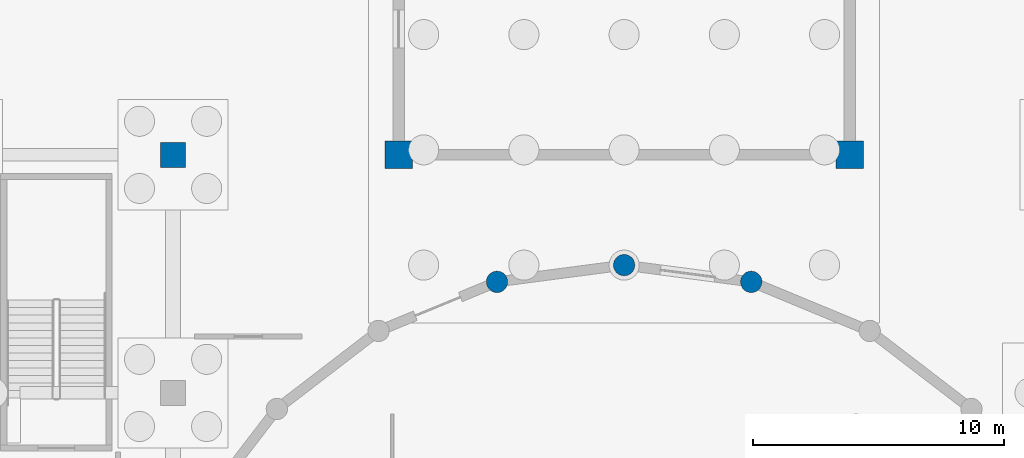
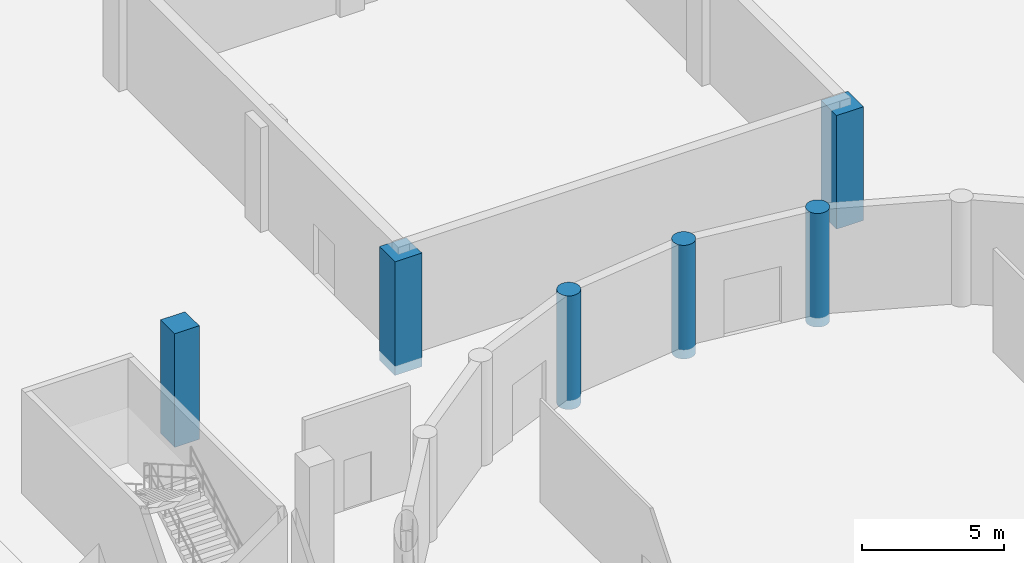
# One storey, part 24 of 40: 6 columns.
"""IFC4 building model written with IfcOpenShell, lengths in metres."""

from ifc_helpers import new_model, si_unit, direction, frame, origin, origin_2d, place, context, subcontext, project, spatial, rectangle, circle, extrude, material, material_profile, profile_set, type_object, element, save


model = new_model("IFC4")

# Units and contexts
model_context = context("Model", 3, precision=1e-05, world=origin(), true_north=direction((0.0, 1.0)))
body_context = subcontext(model_context, "Body", "Model", "MODEL_VIEW")
ifc_project = project(units=[si_unit("LENGTHUNIT", "METRE"), si_unit("AREAUNIT", "SQUARE_METRE"), si_unit("VOLUMEUNIT", "CUBIC_METRE"), si_unit("PLANEANGLEUNIT", "RADIAN"), si_unit("MASSUNIT", "GRAM", prefix="KILO")], contexts=[model_context])

# Site, building, storey
site_placement = place(None, origin())
site = spatial("IfcSite", under=ifc_project, at=site_placement, CompositionType="ELEMENT")
building_placement = place(site_placement, origin())
building = spatial("IfcBuilding", under=site, at=building_placement, Name="Marnock Terrace Opera House", CompositionType="ELEMENT")
storey_placement = place(building_placement, frame((0.0, 0.0, -4.800048828125)))
storey = spatial("IfcBuildingStorey", under=building, at=storey_placement, Name="B1", CompositionType="ELEMENT", Elevation=-4.800048828125)

# Columns
ifc_material = material(Name="Concrete N50 (f'c = 50 MPa)", Category="concrete")
ifc_material_profile_1 = material_profile(ifc_material, circle(Radius=0.425048828125, at=origin_2d()))
ifc_profile_set_1 = profile_set([ifc_material_profile_1], Name="Concrete N50 (f'c = 50 MPa)")
column_type_1 = type_object("IfcColumnType", Name="COL-DRUM-850", PredefinedType="COLUMN", material=ifc_profile_set_1)
for number, where, z_axis, x_axis, name in (
    (1, (87.072998046875, 79.431884765625, -0.39990234375), (0.0, 0.0, 1.0), (1.0, 0.0, 0.0), "B1 auditorium drum pier 6"),
    (2, (82.0, 80.10009765625, -0.39990234375), (0.0, 0.0, 1.0), (1.0, 0.0, 0.0), "B1 auditorium drum pier 7"),
    (3, (76.927001953125, 79.431884765625, -0.39990234375), (0.0, 0.0, 1.0), (1.0, 0.0, 0.0), "B1 auditorium drum pier 8"),
):
    element("IfcColumn", number, at=place(storey_placement, frame(where, z_axis=z_axis, x_axis=x_axis)), inside=storey, type_object=column_type_1, Name=name, PredefinedType="COLUMN", context=body_context, shape_type="SweptSolid", body=[
        extrude(circle(Radius=0.425048828125, at=origin_2d()), origin(), (0.0, 0.0, 1.0), 4.89990234375),
    ])
ifc_material_profile_2 = material_profile(ifc_material, rectangle(XDim=1.0, YDim=1.0, at=origin_2d()))
ifc_profile_set_2 = profile_set([ifc_material_profile_2], Name="Concrete N50 (f'c = 50 MPa)")
column_type_2 = type_object("IfcColumnType", Name="COL-RC1000", PredefinedType="COLUMN", material=ifc_profile_set_2)
column_placement = place(storey_placement, frame((64.0, 84.5, -0.39990234375), z_axis=(0.0, 0.0, 1.0), x_axis=(1.0, 0.0, 0.0)))
element("IfcColumn", 4, at=column_placement, inside=storey, type_object=column_type_2, Name="B1 column at (64.0, 84.5)", PredefinedType="COLUMN", context=body_context, shape_type="SweptSolid", body=[
    extrude(rectangle(XDim=1.0, YDim=1.0, at=origin_2d()), origin(), (0.0, 0.0, 1.0), 4.89990234375),
])
ifc_material_profile_3 = material_profile(ifc_material, rectangle(XDim=1.10009765625, YDim=1.10009765625, at=origin_2d()))
ifc_profile_set_3 = profile_set([ifc_material_profile_3], Name="Concrete N50 (f'c = 50 MPa)")
column_type_3 = type_object("IfcColumnType", Name="COL-RC1100", PredefinedType="COLUMN", material=ifc_profile_set_3)
for number, where, z_axis, x_axis, name in (
    (5, (73.0, 84.5, -0.39990234375), (0.0, 0.0, 1.0), (1.0, 0.0, 0.0), "B1 column at (73.0, 84.5)"),
    (6, (91.0, 84.5, -0.39990234375), (0.0, 0.0, 1.0), (1.0, 0.0, 0.0), "B1 column at (91.0, 84.5)"),
):
    element("IfcColumn", number, at=place(storey_placement, frame(where, z_axis=z_axis, x_axis=x_axis)), inside=storey, type_object=column_type_3, Name=name, PredefinedType="COLUMN", context=body_context, shape_type="SweptSolid", body=[
        extrude(rectangle(XDim=1.10009765625, YDim=1.10009765625, at=origin_2d()), origin(), (0.0, 0.0, 1.0), 4.89990234375),
    ])

save(model, "model.ifc")
